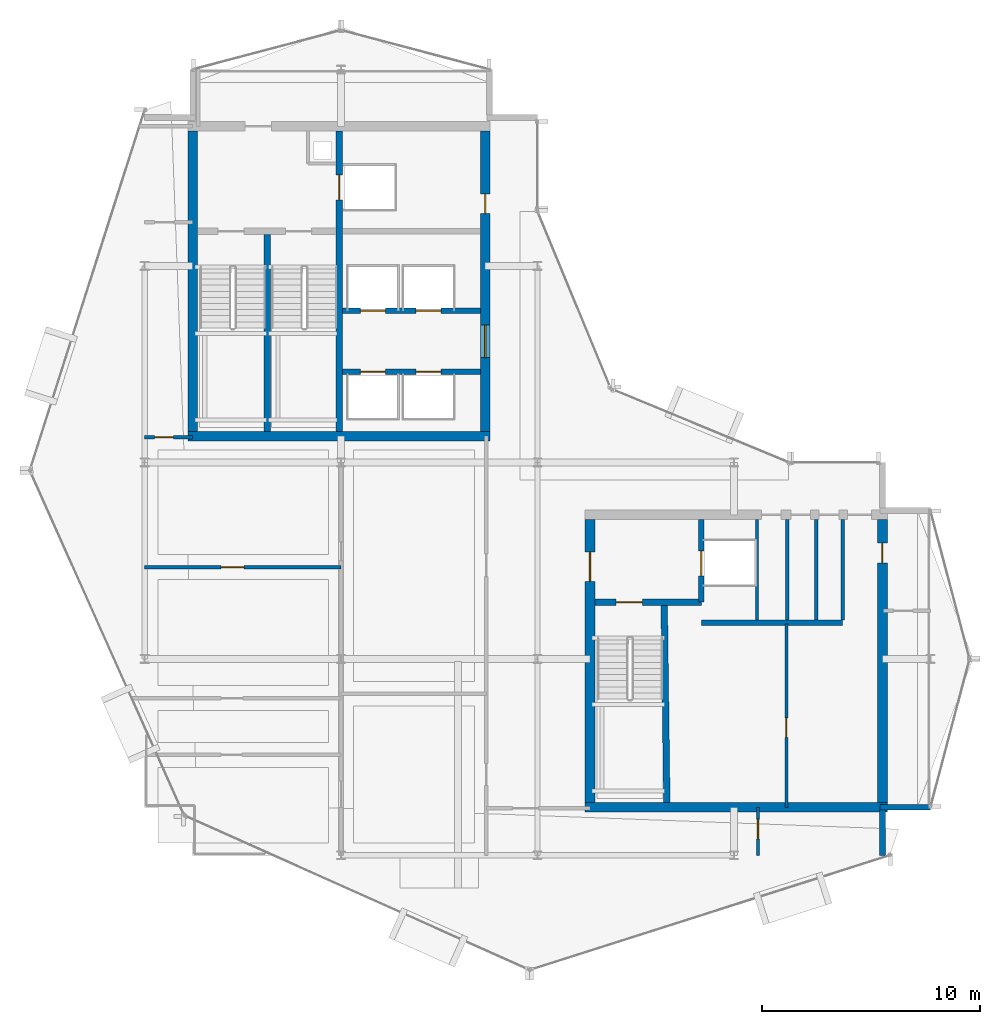
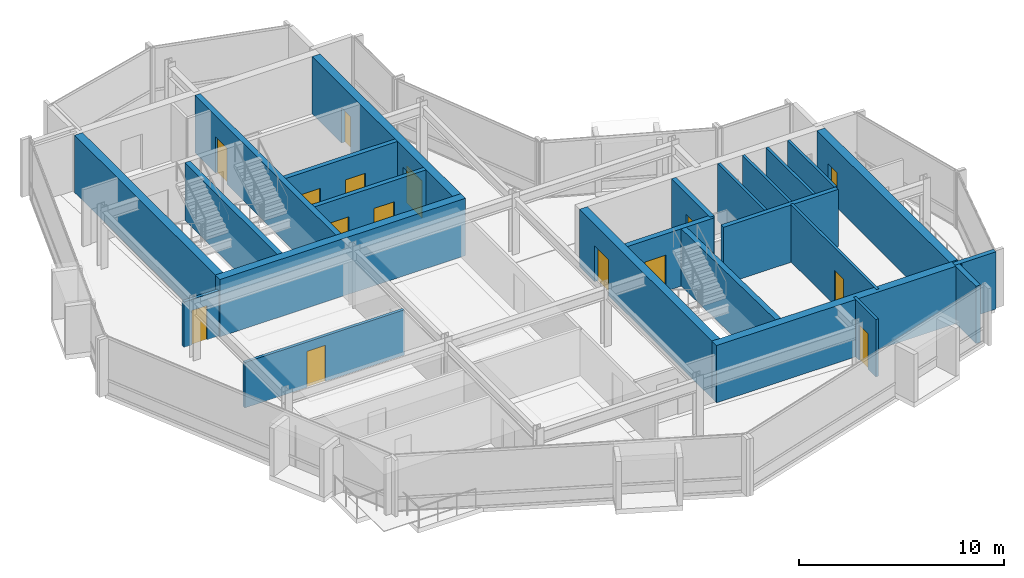
# One storey, part 14 of 19: 24 walls, 15 doors, 15 openings.
"""IFC4 building model written with IfcOpenShell, lengths in metres."""

from ifc_helpers import new_model, si_unit, direction, frame, frame_2d, origin, place, context, subcontext, project, spatial, rectangle, extrude, material, layer, layer_set, type_object, element, fill, save


model = new_model("IFC4")

# Units and contexts
model_context = context("Model", 3, precision=1e-05, world=origin(), true_north=direction((0.0, 1.0)))
body_context = subcontext(model_context, "Body", "Model", "MODEL_VIEW")
ifc_project = project(units=[si_unit("LENGTHUNIT", "METRE"), si_unit("AREAUNIT", "SQUARE_METRE"), si_unit("VOLUMEUNIT", "CUBIC_METRE"), si_unit("PLANEANGLEUNIT", "RADIAN"), si_unit("MASSUNIT", "GRAM", prefix="KILO")], contexts=[model_context])

# Site, building, storey
site_placement = place(None, origin())
site = spatial("IfcSite", under=ifc_project, at=site_placement, CompositionType="ELEMENT")
building_placement = place(site_placement, origin())
building = spatial("IfcBuilding", under=site, at=building_placement, Name="Solvaryn Broadcast Tower", CompositionType="ELEMENT")
storey_placement = place(building_placement, frame((0.0, 0.0, 244.5)))
storey = spatial("IfcBuildingStorey", under=building, at=storey_placement, Name="L61", CompositionType="ELEMENT", Elevation=244.5)

# Walls
ifc_material_1 = material(Name="Concrete f'c 70 MPa", Category="concrete")
ifc_layer_1 = layer(ifc_material_1, 0.449951171875)
ifc_layer_set_1 = layer_set([ifc_layer_1], Name="CW-SHEAR-450")
wall_type_1 = type_object("IfcWallType", Name="CW-SHEAR-450", PredefinedType="SHEAR", material=ifc_layer_set_1)
wall_1_placement = place(storey_placement, frame((10.97509765625, 28.199951171875, 0.0), z_axis=(0.0, 0.0, 1.0), x_axis=(1.0, 0.0, 0.0)))
element("IfcWall", 1, at=wall_1_placement, inside=storey, type_object=wall_type_1, Name="L61 West Core South Shear Wall", PredefinedType="SHEAR", context=body_context, shape_type="SweptSolid", body=[
    extrude(rectangle(XDim=13.849853515625, YDim=0.449951171875, at=frame_2d((6.9248046875, 0.0))), origin(), (0.0, 0.0, 1.0), 3.419921875),
])
wall_2_placement = place(storey_placement, frame((11.199951171875, 42.175048828125, 0.0), z_axis=(0.0, 0.0, 1.0), x_axis=(0.0, -1.0, 0.0)))
element("IfcWall", 2, at=wall_2_placement, inside=storey, type_object=wall_type_1, Name="L61 West Core West Shear Wall", PredefinedType="SHEAR", context=body_context, shape_type="SweptSolid", body=[
    extrude(rectangle(XDim=13.75, YDim=0.449951171875, at=frame_2d((6.875, 0.0))), origin(), (0.0, 0.0, 1.0), 3.419921875),
])

# Wall, openings, doors
wall_3_placement = place(storey_placement, frame((24.60009765625, 28.425048828125, 0.0), z_axis=(0.0, 0.0, 1.0), x_axis=(0.0, 1.0, 0.0)))
wall_3 = element("IfcWall", 3, at=wall_3_placement, inside=storey, type_object=wall_type_1, Name="L61 West Core East Shear Wall", PredefinedType="SHEAR", context=body_context, shape_type="SweptSolid", body=[
    extrude(rectangle(XDim=13.75, YDim=0.449951171875, at=frame_2d((6.875, 0.0))), origin(), (0.0, 0.0, 1.0), 3.419921875),
])
opening_1_placement = place(wall_3_placement, frame((3.375, 0.0, 0.0)))
opening_1 = element("IfcOpeningElement", 4, at=opening_1_placement, cuts=wall_3, Name="Opening FD60A", PredefinedType="OPENING", context=body_context, shape_type="SweptSolid", body=[
    extrude(rectangle(XDim=1.5, YDim=2.199951171875, at=frame_2d((0.75, 1.10009765625))), frame((0.0, 0.235107421875, 0.0), z_axis=(0.0, -1.0, 0.0), x_axis=(1.0, 0.0, 0.0)), (0.0, 0.0, 1.0), 0.469970703125),
])
opening_2_placement = place(wall_3_placement, frame((9.97509765625, 0.0, 0.0)))
opening_2 = element("IfcOpeningElement", 5, at=opening_2_placement, cuts=wall_3, Name="Opening FD60C", PredefinedType="OPENING", context=body_context, shape_type="SweptSolid", body=[
    extrude(rectangle(XDim=0.89990234375, YDim=2.10009765625, at=frame_2d((0.449951171875, 1.050048828125))), frame((0.0, 0.235107421875, 0.0), z_axis=(0.0, -1.0, 0.0), x_axis=(1.0, 0.0, 0.0)), (0.0, 0.0, 1.0), 0.469970703125),
])
ifc_material_2 = material(Name="Flush Acoustic Steel and Timber Door Assembly", Category="steel")
door_type_1 = type_object("IfcDoorType", Name="FD60-CORR-1500X2200", OperationType="NOTDEFINED", PredefinedType="DOOR", material=ifc_material_2)
door_1_placement = place(opening_1_placement, origin())
door_1 = element("IfcDoor", 6, at=door_1_placement, inside=storey, type_object=door_type_1, Name="L61 West Elevator Lobby Corridor Door", OperationType="DOUBLE_DOOR_SINGLE_SWING", OverallHeight=2.199951171875, OverallWidth=1.5, PredefinedType="DOOR", context=body_context, shape_type="SweptSolid", body=[
    extrude(rectangle(XDim=1.5, YDim=2.199951171875, at=frame_2d((0.75, 1.10009765625))), frame((0.0, 0.02490234375, 0.0), z_axis=(0.0, -1.0, 0.0), x_axis=(1.0, 0.0, 0.0)), (0.0, 0.0, 1.0), 0.050048828125),
])
fill(opening_1, door_1)
ifc_material_3 = material(Name="Flush Acoustic Steel and Timber Door Assembly", Category="steel")
door_type_2 = type_object("IfcDoorType", Name="FD60-SERV-900X2100", OperationType="NOTDEFINED", PredefinedType="DOOR", material=ifc_material_3)
door_2_placement = place(opening_2_placement, origin())
door_2 = element("IfcDoor", 7, at=door_2_placement, inside=storey, type_object=door_type_2, Name="L61 West Core Service Door 1", OperationType="SINGLE_SWING_LEFT", OverallHeight=2.10009765625, OverallWidth=0.89990234375, PredefinedType="DOOR", context=body_context, shape_type="SweptSolid", body=[
    extrude(rectangle(XDim=0.89990234375, YDim=2.10009765625, at=frame_2d((0.449951171875, 1.050048828125))), frame((0.0, 0.02490234375, 0.0), z_axis=(0.0, -1.0, 0.0), x_axis=(1.0, 0.0, 0.0)), (0.0, 0.0, 1.0), 0.050048828125),
])
fill(opening_2, door_2)

# Wall
wall_4_placement = place(storey_placement, frame((29.175048828125, 11.199951171875, 0.0), z_axis=(0.0, 0.0, 1.0), x_axis=(1.0, 0.0, 0.0)))
element("IfcWall", 8, at=wall_4_placement, inside=storey, type_object=wall_type_1, Name="L61 East Core South Shear Wall", PredefinedType="SHEAR", context=body_context, shape_type="SweptSolid", body=[
    extrude(rectangle(XDim=13.849853515625, YDim=0.449951171875, at=frame_2d((6.9248046875, 0.0))), origin(), (0.0, 0.0, 1.0), 3.419921875),
])

# Wall, opening, door
wall_5_placement = place(storey_placement, frame((29.39990234375, 24.375, 0.0), z_axis=(0.0, 0.0, 1.0), x_axis=(0.0, -1.0, 0.0)))
wall_5 = element("IfcWall", 9, at=wall_5_placement, inside=storey, type_object=wall_type_1, Name="L61 East Core West Shear Wall", PredefinedType="SHEAR", context=body_context, shape_type="SweptSolid", body=[
    extrude(rectangle(XDim=12.949951171875, YDim=0.449951171875, at=frame_2d((6.47509765625, 0.0))), origin(), (0.0, 0.0, 1.0), 3.419921875),
])
opening_3_placement = place(wall_5_placement, frame((1.47509765625, 0.0, 0.0)))
opening_3 = element("IfcOpeningElement", 10, at=opening_3_placement, cuts=wall_5, Name="Opening FD90B", PredefinedType="OPENING", context=body_context, shape_type="SweptSolid", body=[
    extrude(rectangle(XDim=1.35009765625, YDim=2.14990234375, at=frame_2d((0.675048828125, 1.074951171875))), frame((0.0, 0.235107421875, 0.0), z_axis=(0.0, -1.0, 0.0), x_axis=(1.0, 0.0, 0.0)), (0.0, 0.0, 1.0), 0.469970703125),
])
ifc_material_4 = material(Name="Flush Acoustic Steel and Timber Door Assembly", Category="steel")
door_type_3 = type_object("IfcDoorType", Name="FD90-LOBBY-1350X2150", OperationType="NOTDEFINED", PredefinedType="DOOR", material=ifc_material_4)
door_3_placement = place(opening_3_placement, origin())
door_3 = element("IfcDoor", 11, at=door_3_placement, inside=storey, type_object=door_type_3, Name="L61 East FSAE Lobby Door", OperationType="SINGLE_SWING_RIGHT", OverallHeight=2.14990234375, OverallWidth=1.35009765625, PredefinedType="DOOR", context=body_context, shape_type="SweptSolid", body=[
    extrude(rectangle(XDim=1.35009765625, YDim=2.14990234375, at=frame_2d((0.675048828125, 1.074951171875))), frame((0.0, 0.02490234375, 0.0), z_axis=(0.0, -1.0, 0.0), x_axis=(1.0, 0.0, 0.0)), (0.0, 0.0, 1.0), 0.050048828125),
])
fill(opening_3, door_3)

wall_6_placement = place(storey_placement, frame((42.800048828125, 11.425048828125, 0.0), z_axis=(0.0, 0.0, 1.0), x_axis=(0.0, 1.0, 0.0)))
wall_6 = element("IfcWall", 12, at=wall_6_placement, inside=storey, type_object=wall_type_1, Name="L61 East Core East Shear Wall", PredefinedType="SHEAR", context=body_context, shape_type="SweptSolid", body=[
    extrude(rectangle(XDim=12.949951171875, YDim=0.449951171875, at=frame_2d((6.47509765625, 0.0))), origin(), (0.0, 0.0, 1.0), 3.419921875),
])
opening_4_placement = place(wall_6_placement, frame((10.97509765625, 0.0, 0.0)))
opening_4 = element("IfcOpeningElement", 13, at=opening_4_placement, cuts=wall_6, Name="Opening FD60C", PredefinedType="OPENING", context=body_context, shape_type="SweptSolid", body=[
    extrude(rectangle(XDim=0.89990234375, YDim=2.10009765625, at=frame_2d((0.449951171875, 1.050048828125))), frame((0.0, 0.235107421875, 0.0), z_axis=(0.0, -1.0, 0.0), x_axis=(1.0, 0.0, 0.0)), (0.0, 0.0, 1.0), 0.469970703125),
])
door_4_placement = place(opening_4_placement, origin())
door_4 = element("IfcDoor", 14, at=door_4_placement, inside=storey, type_object=door_type_2, Name="L61 Upper East Studio Door", OperationType="SINGLE_SWING_RIGHT", OverallHeight=2.10009765625, OverallWidth=0.89990234375, PredefinedType="DOOR", context=body_context, shape_type="SweptSolid", body=[
    extrude(rectangle(XDim=0.89990234375, YDim=2.10009765625, at=frame_2d((0.449951171875, 1.050048828125))), frame((0.0, 0.02490234375, 0.0), z_axis=(0.0, -1.0, 0.0), x_axis=(1.0, 0.0, 0.0)), (0.0, 0.0, 1.0), 0.050048828125),
])
fill(opening_4, door_4)

# Walls
ifc_material_5 = material(Name="Concrete f'c 50 MPa", Category="concrete")
ifc_layer_2 = layer(ifc_material_5, 0.260009765625)
ifc_layer_set_2 = layer_set([ifc_layer_2], Name="EW-PIER-260")
wall_type_2 = type_object("IfcWallType", Name="EW-PIER-260", PredefinedType="SOLIDWALL", material=ifc_layer_set_2)
wall_7_placement = place(storey_placement, frame((42.800048828125, 9.0, 0.0), z_axis=(0.0, 0.0, 1.0), x_axis=(0.0, 1.0, 0.0)))
element("IfcWall", 15, at=wall_7_placement, inside=storey, type_object=wall_type_2, Name="L61 Notched Corner Pier Wall NSE1", PredefinedType="SOLIDWALL", context=body_context, shape_type="SweptSolid", body=[
    extrude(rectangle(XDim=2.080078125, YDim=0.260009765625, at=frame_2d((1.0400390625, 0.0))), origin(), (0.0, 0.0, 1.0), 3.419921875),
])
wall_8_placement = place(storey_placement, frame((42.679931640625, 11.199951171875, 0.0), z_axis=(0.0, 0.0, 1.0), x_axis=(1.0, 0.0, 0.0)))
element("IfcWall", 16, at=wall_8_placement, inside=storey, type_object=wall_type_2, Name="L61 Notched Corner Pier Wall NSE2", PredefinedType="SOLIDWALL", context=body_context, shape_type="SweptSolid", body=[
    extrude(rectangle(XDim=2.320068359375, YDim=0.260009765625, at=frame_2d((1.16015625, 0.0))), origin(), (0.0, 0.0, 1.0), 3.419921875),
])

# Wall, opening, door
ifc_material_6 = material(Name="Metal-Stud Service Core Partition")
ifc_layer_3 = layer(ifc_material_6, 0.14990234375)
ifc_layer_set_3 = layer_set([ifc_layer_3], Name="IW-PART-150")
wall_type_3 = type_object("IfcWallType", Name="IW-PART-150", PredefinedType="PARTITIONING", material=ifc_layer_set_3)
wall_9_placement = place(storey_placement, frame((38.39990234375, 11.199951171875, 0.0), z_axis=(0.0, 0.0, 1.0), x_axis=(0.0, 1.0, 0.0)))
wall_9 = element("IfcWall", 17, at=wall_9_placement, inside=storey, type_object=wall_type_3, Name="L61 Interior Partition IW-L61-RPM-V", PredefinedType="PARTITIONING", context=body_context, shape_type="SweptSolid", body=[
    extrude(rectangle(XDim=8.400146484375, YDim=0.14990234375, at=frame_2d((4.2001953125, 0.0))), origin(), (0.0, 0.0, 1.0), 3.419921875),
])
opening_5_placement = place(wall_9_placement, frame((3.199951171875, 0.0, 0.0)))
opening_5 = element("IfcOpeningElement", 18, at=opening_5_placement, cuts=wall_9, Name="Opening FD60C", PredefinedType="OPENING", context=body_context, shape_type="SweptSolid", body=[
    extrude(rectangle(XDim=0.89990234375, YDim=2.10009765625, at=frame_2d((0.449951171875, 1.050048828125))), frame((0.0, 0.0849609375, 0.0), z_axis=(0.0, -1.0, 0.0), x_axis=(1.0, 0.0, 0.0)), (0.0, 0.0, 1.0), 0.169921875),
])
door_5_placement = place(opening_5_placement, origin())
door_5 = element("IfcDoor", 19, at=door_5_placement, inside=storey, type_object=door_type_2, Name="L61 Door DR-L61-RPM1", OperationType="SINGLE_SWING_RIGHT", OverallHeight=2.10009765625, OverallWidth=0.89990234375, PredefinedType="DOOR", context=body_context, shape_type="SweptSolid", body=[
    extrude(rectangle(XDim=0.89990234375, YDim=2.10009765625, at=frame_2d((0.449951171875, 1.050048828125))), frame((0.0, 0.02490234375, 0.0), z_axis=(0.0, -1.0, 0.0), x_axis=(1.0, 0.0, 0.0)), (0.0, 0.0, 1.0), 0.050048828125),
])
fill(opening_5, door_5)

# Walls
for number, where, z_axis, x_axis, name in (
    (20, (37.050048828125, 19.780029296875, 0.0), (0.0, 0.0, 1.0), (0.0, 1.0, 0.0), "L61 Interior Partition IW-L61-CE-FL2E"),
    (21, (38.43994140625, 19.780029296875, 0.0), (0.0, 0.0, 1.0), (0.0, 1.0, 0.0), "L61 Interior Partition IW-L61-CE-V1"),
    (22, (39.77001953125, 19.780029296875, 0.0), (0.0, 0.0, 1.0), (0.0, 1.0, 0.0), "L61 Interior Partition IW-L61-CE-V2"),
    (23, (40.97998046875, 19.780029296875, 0.0), (0.0, 0.0, 1.0), (0.0, 1.0, 0.0), "L61 Interior Partition IW-L61-CE-V3"),
):
    element("IfcWall", number, at=place(storey_placement, frame(where, z_axis=z_axis, x_axis=x_axis)), inside=storey, type_object=wall_type_3, Name=name, PredefinedType="PARTITIONING", context=body_context, shape_type="SweptSolid", body=[
        extrude(rectangle(XDim=4.594970703125, YDim=0.14990234375, at=frame_2d((2.29736328125, 0.0))), origin(), (0.0, 0.0, 1.0), 3.419921875),
    ])

# Wall, opening, door
wall_10_placement = place(storey_placement, frame((37.10009765625, 9.0, 0.0), z_axis=(0.0, 0.0, 1.0), x_axis=(0.0, 1.0, 0.0)))
wall_10 = element("IfcWall", 24, at=wall_10_placement, inside=storey, type_object=wall_type_3, Name="L61 Interior Partition IW-L61-SC-V", PredefinedType="PARTITIONING", context=body_context, shape_type="SweptSolid", body=[
    extrude(rectangle(XDim=2.199951171875, YDim=0.14990234375, at=frame_2d((1.10009765625, 0.0))), origin(), (0.0, 0.0, 1.0), 3.419921875),
])
opening_6_placement = place(wall_10_placement, frame((0.75, 0.0, 0.0)))
opening_6 = element("IfcOpeningElement", 25, at=opening_6_placement, cuts=wall_10, Name="Opening FD60C", PredefinedType="OPENING", context=body_context, shape_type="SweptSolid", body=[
    extrude(rectangle(XDim=0.89990234375, YDim=2.10009765625, at=frame_2d((0.449951171875, 1.050048828125))), frame((0.0, 0.0849609375, 0.0), z_axis=(0.0, -1.0, 0.0), x_axis=(1.0, 0.0, 0.0)), (0.0, 0.0, 1.0), 0.169921875),
])
door_6_placement = place(opening_6_placement, origin())
door_6 = element("IfcDoor", 26, at=door_6_placement, inside=storey, type_object=door_type_2, Name="L61 Door DR-L61-SC1", OperationType="SINGLE_SWING_LEFT", OverallHeight=2.10009765625, OverallWidth=0.89990234375, PredefinedType="DOOR", context=body_context, shape_type="SweptSolid", body=[
    extrude(rectangle(XDim=0.89990234375, YDim=2.10009765625, at=frame_2d((0.449951171875, 1.050048828125))), frame((0.0, 0.02490234375, 0.0), z_axis=(0.0, -1.0, 0.0), x_axis=(1.0, 0.0, 0.0)), (0.0, 0.0, 1.0), 0.050048828125),
])
fill(opening_6, door_6)

ifc_material_7 = material(Name="Metal-Stud Gypsum Office Partition")
ifc_layer_4 = layer(ifc_material_7, 0.159912109375)
ifc_layer_set_4 = layer_set([ifc_layer_4], Name="IW-PART-160")
wall_type_4 = type_object("IfcWallType", Name="IW-PART-160", PredefinedType="PARTITIONING", material=ifc_layer_set_4)
wall_11_placement = place(storey_placement, frame((9.0, 28.14990234375, 0.0), z_axis=(0.0, 0.0, 1.0), x_axis=(1.0, 0.0, 0.0)))
wall_11 = element("IfcWall", 27, at=wall_11_placement, inside=storey, type_object=wall_type_4, Name="L61 Interior Partition IW-L61-WM-S", PredefinedType="PARTITIONING", context=body_context, shape_type="SweptSolid", body=[
    extrude(rectangle(XDim=2.199951171875, YDim=0.159912109375, at=frame_2d((1.10009765625, 0.0))), origin(), (0.0, 0.0, 1.0), 2.70703125),
])
opening_7_placement = place(wall_11_placement, frame((0.449951171875, 0.0, 0.0)))
opening_7 = element("IfcOpeningElement", 28, at=opening_7_placement, cuts=wall_11, Name="Opening ID07", PredefinedType="OPENING", context=body_context, shape_type="SweptSolid", body=[
    extrude(rectangle(XDim=0.860107421875, YDim=2.050048828125, at=frame_2d((0.43017578125, 1.02490234375))), frame((0.0, 0.090087890625, 0.0), z_axis=(0.0, -1.0, 0.0), x_axis=(1.0, 0.0, 0.0)), (0.0, 0.0, 1.0), 0.179931640625),
])
ifc_material_8 = material(Name="Flush Acoustic Steel and Timber Door Assembly", Category="steel")
door_type_4 = type_object("IfcDoorType", Name="ID-07-860X2050", OperationType="NOTDEFINED", PredefinedType="DOOR", material=ifc_material_8)
door_7_placement = place(opening_7_placement, origin())
door_7 = element("IfcDoor", 29, at=door_7_placement, inside=storey, type_object=door_type_4, Name="L61 Door DR-L61-WM0", OperationType="SINGLE_SWING_LEFT", OverallHeight=2.050048828125, OverallWidth=0.860107421875, PredefinedType="DOOR", context=body_context, shape_type="SweptSolid", body=[
    extrude(rectangle(XDim=0.860107421875, YDim=2.050048828125, at=frame_2d((0.43017578125, 1.02490234375))), frame((0.0, 0.02490234375, 0.0), z_axis=(0.0, -1.0, 0.0), x_axis=(1.0, 0.0, 0.0)), (0.0, 0.0, 1.0), 0.050048828125),
])
fill(opening_7, door_7)

wall_12_placement = place(storey_placement, frame((9.0, 22.199951171875, 0.0), z_axis=(0.0, 0.0, 1.0), x_axis=(1.0, 0.0, 0.0)))
wall_12 = element("IfcWall", 30, at=wall_12_placement, inside=storey, type_object=wall_type_4, Name="L61 Interior Partition IW-L61-SWW-H3", PredefinedType="PARTITIONING", context=body_context, shape_type="SweptSolid", body=[
    extrude(rectangle(XDim=9.0, YDim=0.159912109375, at=frame_2d((4.5, 0.0))), origin(), (0.0, 0.0, 1.0), 2.70703125),
])
opening_8_placement = place(wall_12_placement, frame((3.5, 0.0, 0.0)))
opening_8 = element("IfcOpeningElement", 31, at=opening_8_placement, cuts=wall_12, Name="Opening ID03", PredefinedType="OPENING", context=body_context, shape_type="SweptSolid", body=[
    extrude(rectangle(XDim=1.050048828125, YDim=2.14990234375, at=frame_2d((0.52490234375, 1.074951171875))), frame((0.0, 0.090087890625, 0.0), z_axis=(0.0, -1.0, 0.0), x_axis=(1.0, 0.0, 0.0)), (0.0, 0.0, 1.0), 0.179931640625),
])
ifc_material_9 = material(Name="Flush Acoustic Steel and Timber Door Assembly", Category="steel")
door_type_5 = type_object("IfcDoorType", Name="ID-03-1050X2150", OperationType="NOTDEFINED", PredefinedType="DOOR", material=ifc_material_9)
door_8_placement = place(opening_8_placement, origin())
door_8 = element("IfcDoor", 32, at=door_8_placement, inside=storey, type_object=door_type_5, Name="L61 Door DR-L61-SWW-3", OperationType="SINGLE_SWING_LEFT", OverallHeight=2.14990234375, OverallWidth=1.050048828125, PredefinedType="DOOR", context=body_context, shape_type="SweptSolid", body=[
    extrude(rectangle(XDim=1.050048828125, YDim=2.14990234375, at=frame_2d((0.52490234375, 1.074951171875))), frame((0.0, 0.02490234375, 0.0), z_axis=(0.0, -1.0, 0.0), x_axis=(1.0, 0.0, 0.0)), (0.0, 0.0, 1.0), 0.050048828125),
])
fill(opening_8, door_8)

# Wall, openings, doors
ifc_material_10 = material(Name="Concrete f'c 60 MPa", Category="concrete")
ifc_layer_5 = layer(ifc_material_10, 0.25)
ifc_layer_set_5 = layer_set([ifc_layer_5], Name="SW-SHAFT-250")
wall_type_5 = type_object("IfcWallType", Name="SW-SHAFT-250", PredefinedType="PARTITIONING", material=ifc_layer_set_5)
wall_13_placement = place(storey_placement, frame((18.070068359375, 31.14990234375, 0.0), z_axis=(0.0, 0.0, 1.0), x_axis=(1.0, 0.0, 0.0)))
wall_13 = element("IfcWall", 33, at=wall_13_placement, inside=storey, type_object=wall_type_5, Name="L61 High-Rise Lift Bank South Wall", PredefinedType="PARTITIONING", context=body_context, shape_type="SweptSolid", body=[
    extrude(rectangle(XDim=6.304931640625, YDim=0.25, at=frame_2d((3.15234375, 0.0))), origin(), (0.0, 0.0, 1.0), 3.419921875),
])
opening_9_placement = place(wall_13_placement, frame((0.804931640625, 0.0, 0.0)))
opening_9 = element("IfcOpeningElement", 34, at=opening_9_placement, cuts=wall_13, Name="Opening LD01", PredefinedType="OPENING", context=body_context, shape_type="SweptSolid", body=[
    extrude(rectangle(XDim=1.14990234375, YDim=2.14990234375, at=frame_2d((0.574951171875, 1.074951171875))), frame((0.0, 0.135009765625, 0.0), z_axis=(0.0, -1.0, 0.0), x_axis=(1.0, 0.0, 0.0)), (0.0, 0.0, 1.0), 0.27001953125),
])
opening_10_placement = place(wall_13_placement, frame((3.35498046875, 0.0, 0.0)))
opening_10 = element("IfcOpeningElement", 35, at=opening_10_placement, cuts=wall_13, Name="Opening LD01", PredefinedType="OPENING", context=body_context, shape_type="SweptSolid", body=[
    extrude(rectangle(XDim=1.14990234375, YDim=2.14990234375, at=frame_2d((0.574951171875, 1.074951171875))), frame((0.0, 0.135009765625, 0.0), z_axis=(0.0, -1.0, 0.0), x_axis=(1.0, 0.0, 0.0)), (0.0, 0.0, 1.0), 0.27001953125),
])
ifc_material_11 = material(Name="Flush Acoustic Steel and Timber Door Assembly", Category="steel")
door_type_6 = type_object("IfcDoorType", Name="LD-LIFT-1150X2150", OperationType="NOTDEFINED", PredefinedType="DOOR", material=ifc_material_11)
door_9_placement = place(opening_9_placement, origin())
door_9 = element("IfcDoor", 36, at=door_9_placement, inside=storey, type_object=door_type_6, Name="L61 PH1 Lift Landing Door", OperationType="DOUBLE_DOOR_SLIDING", OverallHeight=2.14990234375, OverallWidth=1.14990234375, PredefinedType="DOOR", context=body_context, shape_type="SweptSolid", body=[
    extrude(rectangle(XDim=1.14990234375, YDim=2.14990234375, at=frame_2d((0.574951171875, 1.074951171875))), frame((0.0, 0.02490234375, 0.0), z_axis=(0.0, -1.0, 0.0), x_axis=(1.0, 0.0, 0.0)), (0.0, 0.0, 1.0), 0.050048828125),
])
fill(opening_9, door_9)
door_10_placement = place(opening_10_placement, origin())
door_10 = element("IfcDoor", 37, at=door_10_placement, inside=storey, type_object=door_type_6, Name="L61 PH2 Lift Landing Door", OperationType="DOUBLE_DOOR_SLIDING", OverallHeight=2.14990234375, OverallWidth=1.14990234375, PredefinedType="DOOR", context=body_context, shape_type="SweptSolid", body=[
    extrude(rectangle(XDim=1.14990234375, YDim=2.14990234375, at=frame_2d((0.574951171875, 1.074951171875))), frame((0.0, 0.02490234375, 0.0), z_axis=(0.0, -1.0, 0.0), x_axis=(1.0, 0.0, 0.0)), (0.0, 0.0, 1.0), 0.050048828125),
])
fill(opening_10, door_10)

wall_14_placement = place(storey_placement, frame((24.375, 33.949951171875, 0.0), z_axis=(0.0, 0.0, 1.0), x_axis=(-1.0, 0.0, 0.0)))
wall_14 = element("IfcWall", 38, at=wall_14_placement, inside=storey, type_object=wall_type_5, Name="L61 High-Rise Lift Bank North Wall", PredefinedType="PARTITIONING", context=body_context, shape_type="SweptSolid", body=[
    extrude(rectangle(XDim=6.304931640625, YDim=0.25, at=frame_2d((3.15234375, 0.0))), origin(), (0.0, 0.0, 1.0), 3.419921875),
])
opening_11_placement = place(wall_14_placement, frame((4.35009765625, 0.0, 0.0)))
opening_11 = element("IfcOpeningElement", 39, at=opening_11_placement, cuts=wall_14, Name="Opening LD01", PredefinedType="OPENING", context=body_context, shape_type="SweptSolid", body=[
    extrude(rectangle(XDim=1.14990234375, YDim=2.14990234375, at=frame_2d((0.574951171875, 1.074951171875))), frame((0.0, 0.135009765625, 0.0), z_axis=(0.0, -1.0, 0.0), x_axis=(1.0, 0.0, 0.0)), (0.0, 0.0, 1.0), 0.27001953125),
])
opening_12_placement = place(wall_14_placement, frame((1.800048828125, 0.0, 0.0)))
opening_12 = element("IfcOpeningElement", 40, at=opening_12_placement, cuts=wall_14, Name="Opening LD01", PredefinedType="OPENING", context=body_context, shape_type="SweptSolid", body=[
    extrude(rectangle(XDim=1.14990234375, YDim=2.14990234375, at=frame_2d((0.574951171875, 1.074951171875))), frame((0.0, 0.135009765625, 0.0), z_axis=(0.0, -1.0, 0.0), x_axis=(1.0, 0.0, 0.0)), (0.0, 0.0, 1.0), 0.27001953125),
])
door_11_placement = place(opening_11_placement, origin())
door_11 = element("IfcDoor", 41, at=door_11_placement, inside=storey, type_object=door_type_6, Name="L61 PH3 Lift Landing Door", OperationType="DOUBLE_DOOR_SLIDING", OverallHeight=2.14990234375, OverallWidth=1.14990234375, PredefinedType="DOOR", context=body_context, shape_type="SweptSolid", body=[
    extrude(rectangle(XDim=1.14990234375, YDim=2.14990234375, at=frame_2d((0.574951171875, 1.074951171875))), frame((0.0, 0.02490234375, 0.0), z_axis=(0.0, -1.0, 0.0), x_axis=(1.0, 0.0, 0.0)), (0.0, 0.0, 1.0), 0.050048828125),
])
fill(opening_11, door_11)
door_12_placement = place(opening_12_placement, origin())
door_12 = element("IfcDoor", 42, at=door_12_placement, inside=storey, type_object=door_type_6, Name="L61 PH4 Lift Landing Door", OperationType="DOUBLE_DOOR_SLIDING", OverallHeight=2.14990234375, OverallWidth=1.14990234375, PredefinedType="DOOR", context=body_context, shape_type="SweptSolid", body=[
    extrude(rectangle(XDim=1.14990234375, YDim=2.14990234375, at=frame_2d((0.574951171875, 1.074951171875))), frame((0.0, 0.02490234375, 0.0), z_axis=(0.0, -1.0, 0.0), x_axis=(1.0, 0.0, 0.0)), (0.0, 0.0, 1.0), 0.050048828125),
])
fill(opening_12, door_12)

# Wall, opening, door
wall_15_placement = place(storey_placement, frame((34.5, 20.60009765625, 0.0), z_axis=(0.0, 0.0, 1.0), x_axis=(0.0, 1.0, 0.0)))
wall_15 = element("IfcWall", 43, at=wall_15_placement, inside=storey, type_object=wall_type_5, Name="L61 East FSAE Lobby East Wall", PredefinedType="PARTITIONING", context=body_context, shape_type="SweptSolid", body=[
    extrude(rectangle(XDim=3.77490234375, YDim=0.25, at=frame_2d((1.887451171875, 0.0))), origin(), (0.0, 0.0, 1.0), 3.419921875),
])
opening_13_placement = place(wall_15_placement, frame((1.199951171875, 0.0, 0.0)))
opening_13 = element("IfcOpeningElement", 44, at=opening_13_placement, cuts=wall_15, Name="Opening LD01", PredefinedType="OPENING", context=body_context, shape_type="SweptSolid", body=[
    extrude(rectangle(XDim=1.14990234375, YDim=2.14990234375, at=frame_2d((0.574951171875, 1.074951171875))), frame((0.0, 0.135009765625, 0.0), z_axis=(0.0, -1.0, 0.0), x_axis=(1.0, 0.0, 0.0)), (0.0, 0.0, 1.0), 0.27001953125),
])
door_13_placement = place(opening_13_placement, origin())
door_13 = element("IfcDoor", 45, at=door_13_placement, inside=storey, type_object=door_type_6, Name="L61 FL2 Lift Landing Door", OperationType="DOUBLE_DOOR_SLIDING", OverallHeight=2.14990234375, OverallWidth=1.14990234375, PredefinedType="DOOR", context=body_context, shape_type="SweptSolid", body=[
    extrude(rectangle(XDim=1.14990234375, YDim=2.14990234375, at=frame_2d((0.574951171875, 1.074951171875))), frame((0.0, 0.02490234375, 0.0), z_axis=(0.0, -1.0, 0.0), x_axis=(1.0, 0.0, 0.0)), (0.0, 0.0, 1.0), 0.050048828125),
])
fill(opening_13, door_13)

# Walls
wall_16_placement = place(storey_placement, frame((34.5, 19.64990234375, 0.0), z_axis=(0.0, 0.0, 1.0), x_axis=(1.0, 0.0, 0.0)))
element("IfcWall", 46, at=wall_16_placement, inside=storey, type_object=wall_type_5, Name="L61 East Core Restroom South Wall", PredefinedType="PARTITIONING", context=body_context, shape_type="SweptSolid", body=[
    extrude(rectangle(XDim=6.47998046875, YDim=0.25, at=frame_2d((3.239990234375, 0.0))), origin(), (0.0, 0.0, 1.0), 3.419921875),
])
ifc_material_12 = material(Name="Concrete f'c 70 MPa", Category="concrete")
ifc_layer_6 = layer(ifc_material_12, 0.300048828125)
ifc_layer_set_6 = layer_set([ifc_layer_6], Name="SW-SHAFT-300")
wall_type_6 = type_object("IfcWallType", Name="SW-SHAFT-300", PredefinedType="SHEAR", material=ifc_layer_set_6)
wall_17_placement = place(storey_placement, frame((14.6201171875, 28.425048828125, 0.0), z_axis=(0.0, 0.0, 1.0), x_axis=(0.0, 1.0, 0.0)))
element("IfcWall", 47, at=wall_17_placement, inside=storey, type_object=wall_type_6, Name="L61 Stair 1-2 Dividing Wall", PredefinedType="SHEAR", context=body_context, shape_type="SweptSolid", body=[
    extrude(rectangle(XDim=9.02490234375, YDim=0.300048828125, at=frame_2d((4.512451171875, 0.0))), origin(), (0.0, 0.0, 1.0), 3.419921875),
])

# Wall, opening, door
wall_18_placement = place(storey_placement, frame((17.919921875, 42.175048828125, 0.0), z_axis=(0.0, 0.0, 1.0), x_axis=(0.0, -1.0, 0.0)))
wall_18 = element("IfcWall", 48, at=wall_18_placement, inside=storey, type_object=wall_type_6, Name="L61 West Core Stair-Lobby Shear Wall", PredefinedType="SHEAR", context=body_context, shape_type="SweptSolid", body=[
    extrude(rectangle(XDim=13.75, YDim=0.300048828125, at=frame_2d((6.875, 0.0))), origin(), (0.0, 0.0, 1.0), 3.419921875),
])
opening_14_placement = place(wall_18_placement, frame((2.0, 0.0, 0.0)))
opening_14 = element("IfcOpeningElement", 49, at=opening_14_placement, cuts=wall_18, Name="Opening LD01", PredefinedType="OPENING", context=body_context, shape_type="SweptSolid", body=[
    extrude(rectangle(XDim=1.14990234375, YDim=2.14990234375, at=frame_2d((0.574951171875, 1.074951171875))), frame((0.0, 0.159912109375, 0.0), z_axis=(0.0, -1.0, 0.0), x_axis=(1.0, 0.0, 0.0)), (0.0, 0.0, 1.0), 0.320068359375),
])
door_14_placement = place(opening_14_placement, origin())
door_14 = element("IfcDoor", 50, at=door_14_placement, inside=storey, type_object=door_type_6, Name="L61 FL1 Lift Landing Door", OperationType="DOUBLE_DOOR_SLIDING", OverallHeight=2.14990234375, OverallWidth=1.14990234375, PredefinedType="DOOR", context=body_context, shape_type="SweptSolid", body=[
    extrude(rectangle(XDim=1.14990234375, YDim=2.14990234375, at=frame_2d((0.574951171875, 1.074951171875))), frame((0.0, 0.02490234375, 0.0), z_axis=(0.0, -1.0, 0.0), x_axis=(1.0, 0.0, 0.0)), (0.0, 0.0, 1.0), 0.050048828125),
])
fill(opening_14, door_14)

# Wall
wall_19_placement = place(storey_placement, frame((32.919921875, 11.425048828125, 0.0), z_axis=(0.0, 0.0, 1.0), x_axis=(-0.013135638869, 0.999913723774, 0.0)))
element("IfcWall", 51, at=wall_19_placement, inside=storey, type_object=wall_type_6, Name="L61 Stair 3 East Shear Wall", PredefinedType="SHEAR", context=body_context, shape_type="SweptSolid", body=[
    extrude(rectangle(XDim=9.125732421875, YDim=0.300048828125, at=frame_2d((4.56298828125, 0.0))), origin(), (0.0, 0.0, 1.0), 3.419921875),
])

# Wall, opening, door
wall_20_placement = place(storey_placement, frame((34.5, 20.60009765625, 0.0), z_axis=(0.0, 0.0, 1.0), x_axis=(-1.0, 0.0, 0.0)))
wall_20 = element("IfcWall", 52, at=wall_20_placement, inside=storey, type_object=wall_type_6, Name="L61 East FSAE Lobby South Wall", PredefinedType="SHEAR", context=body_context, shape_type="SweptSolid", body=[
    extrude(rectangle(XDim=4.875, YDim=0.300048828125, at=frame_2d((2.4375, 0.0))), origin(), (0.0, 0.0, 1.0), 3.419921875),
])
opening_15_placement = place(wall_20_placement, frame((2.699951171875, 0.0, 0.0)))
opening_15 = element("IfcOpeningElement", 53, at=opening_15_placement, cuts=wall_20, Name="Opening FD90A", PredefinedType="OPENING", context=body_context, shape_type="SweptSolid", body=[
    extrude(rectangle(XDim=1.199951171875, YDim=2.14990234375, at=frame_2d((0.60009765625, 1.074951171875))), frame((0.0, 0.159912109375, 0.0), z_axis=(0.0, -1.0, 0.0), x_axis=(1.0, 0.0, 0.0)), (0.0, 0.0, 1.0), 0.320068359375),
])
ifc_material_13 = material(Name="Flush Acoustic Steel and Timber Door Assembly", Category="steel")
door_type_7 = type_object("IfcDoorType", Name="FD90-STAIR-1200X2150", OperationType="NOTDEFINED", PredefinedType="DOOR", material=ifc_material_13)
door_15_placement = place(opening_15_placement, origin())
door_15 = element("IfcDoor", 54, at=door_15_placement, inside=storey, type_object=door_type_7, Name="L61 Stair 3 Fire Door", OperationType="SINGLE_SWING_LEFT", OverallHeight=2.14990234375, OverallWidth=1.199951171875, PredefinedType="DOOR", context=body_context, shape_type="SweptSolid", body=[
    extrude(rectangle(XDim=1.199951171875, YDim=2.14990234375, at=frame_2d((0.60009765625, 1.074951171875))), frame((0.0, 0.02490234375, 0.0), z_axis=(0.0, -1.0, 0.0), x_axis=(1.0, 0.0, 0.0)), (0.0, 0.0, 1.0), 0.050048828125),
])
fill(opening_15, door_15)

save(model, "model.ifc")
